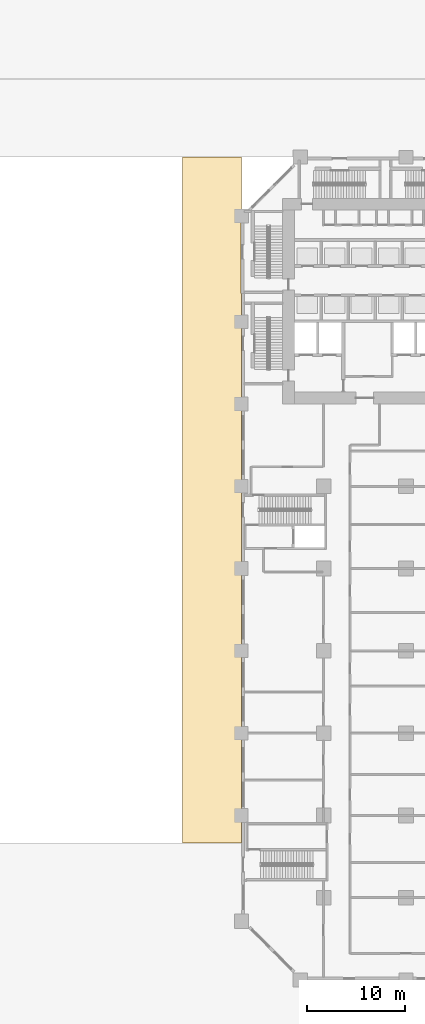
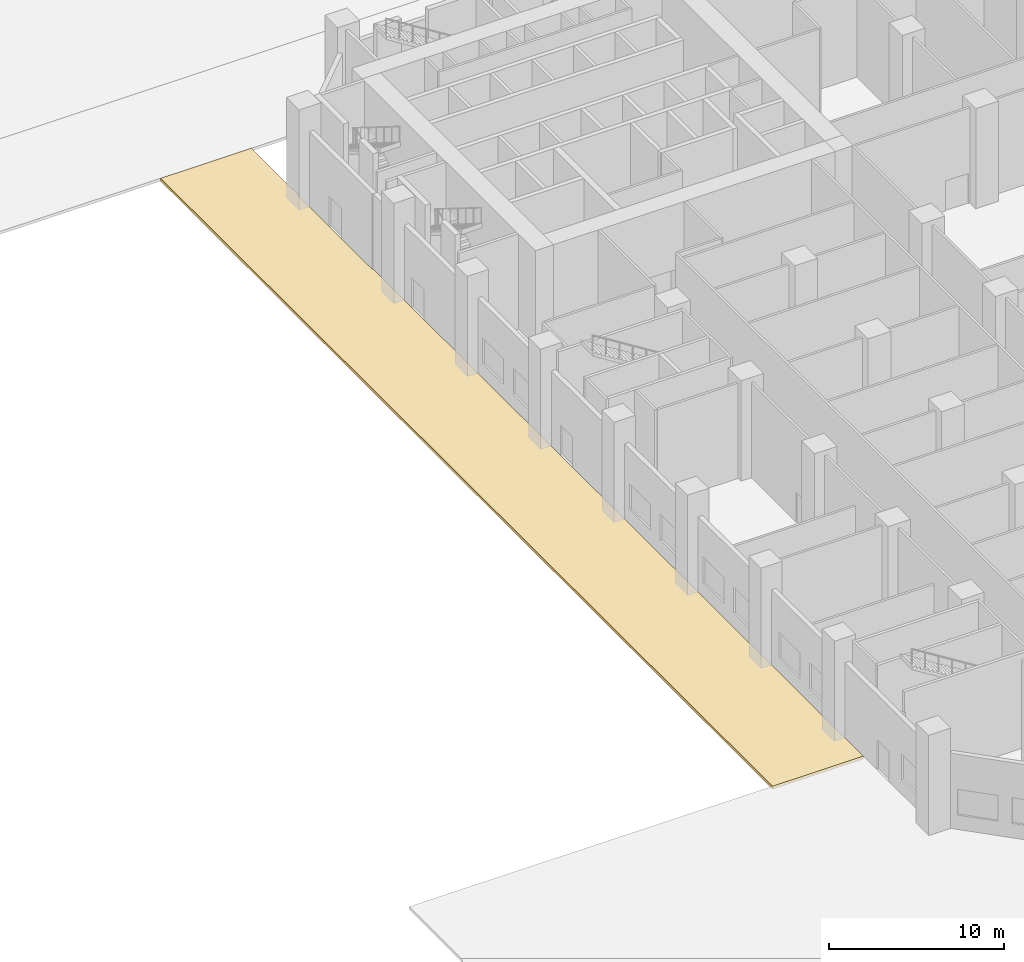
# One storey, part 25 of 32: 1 covering.
"""IFC4 building model written with IfcOpenShell, lengths in metres."""

from ifc_helpers import new_model, si_unit, direction, frame, origin, place, context, subcontext, project, spatial, polyline, outline, extrude, material, layer, layer_set, type_object, element, save


model = new_model("IFC4")

# Units and contexts
model_context = context("Model", 3, precision=1e-05, world=origin(), true_north=direction((0.0, 1.0)))
body_context = subcontext(model_context, "Body", "Model", "MODEL_VIEW")
ifc_project = project(units=[si_unit("LENGTHUNIT", "METRE"), si_unit("AREAUNIT", "SQUARE_METRE"), si_unit("VOLUMEUNIT", "CUBIC_METRE"), si_unit("PLANEANGLEUNIT", "RADIAN"), si_unit("MASSUNIT", "GRAM", prefix="KILO")], contexts=[model_context])

# Site, building, storey
site_placement = place(None, origin())
site = spatial("IfcSite", under=ifc_project, at=site_placement, CompositionType="ELEMENT")
building_placement = place(site_placement, origin())
building = spatial("IfcBuilding", under=site, at=building_placement, Name="Kawkab Arch Medical Tower", CompositionType="ELEMENT")
storey_placement = place(building_placement, origin())
storey = spatial("IfcBuildingStorey", under=building, at=storey_placement, Name="L01", CompositionType="ELEMENT", Elevation=0.0)

# Covering
ifc_material = material(Name="Granite and concrete paving on compacted base", Category="masonry")
ifc_layer = layer(ifc_material, 0.199951171875)
ifc_layer_set = layer_set([ifc_layer], Name="Granite and concrete paving on compacted base")
covering_type = type_object("IfcCoveringType", Name="Paving surfacing 200 (PV-F)", PredefinedType="USERDEFINED", material=ifc_layer_set)
covering_placement = place(storey_placement, frame((0.0, 0.0, -0.199951171875)))
element("IfcCovering", 1, at=covering_placement, inside=storey, type_object=covering_type, Name="West footpath", ObjectType="PAVING", PredefinedType="USERDEFINED", context=body_context, shape_type="SweptSolid", body=[
    extrude(outline(polyline([(-6.0, -70.0), (0.0, -70.0), (0.0, -13.89990234375), (-0.050048828125, -13.89990234375), (-0.050048828125, -5.449951171875), (0.0, -5.449951171875), (0.0, 0.0), (-6.0, 0.0), (-6.0, -70.0)])), origin(), (0.0, 0.0, 1.0), 0.199951171875),
])

save(model, "model.ifc")
